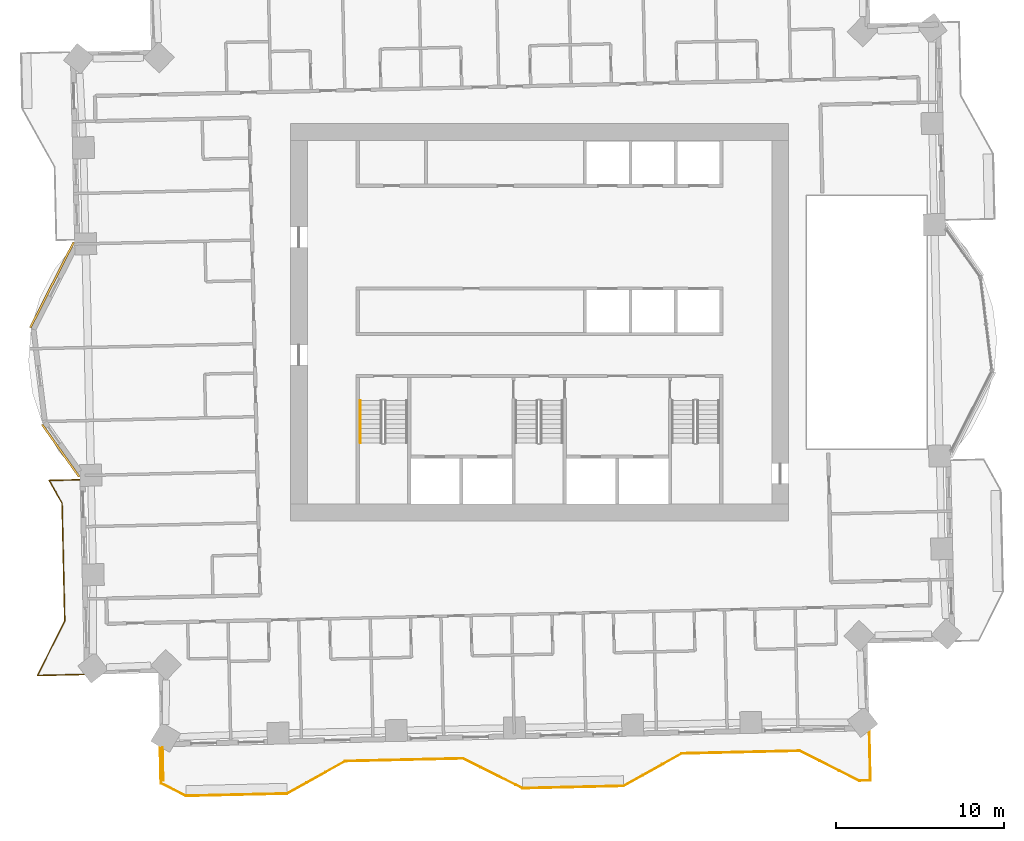
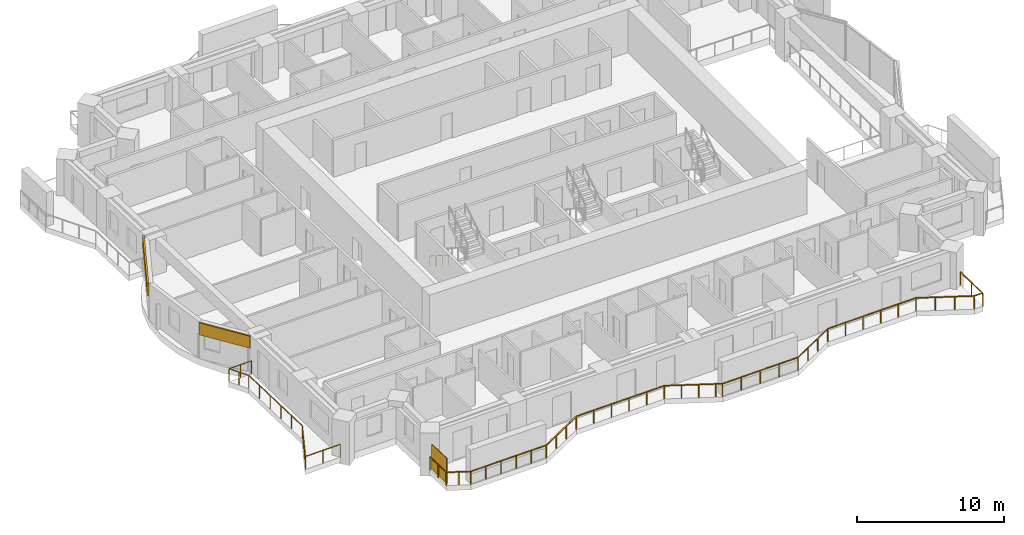
# One storey, part 13 of 16: 3 railings, 2 coverings, 1 shading device.
"""IFC4 building model written with IfcOpenShell, lengths in metres."""

from ifc_helpers import new_model, si_unit, direction, frame, frame_2d, origin, origin_2d, place, context, subcontext, project, spatial, rectangle, circle, extrude, material, layer, layer_set, type_object, element, save


model = new_model("IFC4")

# Units and contexts
model_context = context("Model", 3, precision=1e-05, world=origin(), true_north=direction((0.0, 1.0)))
body_context = subcontext(model_context, "Body", "Model", "MODEL_VIEW")
ifc_project = project(units=[si_unit("LENGTHUNIT", "METRE"), si_unit("AREAUNIT", "SQUARE_METRE"), si_unit("VOLUMEUNIT", "CUBIC_METRE"), si_unit("PLANEANGLEUNIT", "RADIAN"), si_unit("MASSUNIT", "GRAM", prefix="KILO")], contexts=[model_context])

# Site, building, storey
site_placement = place(None, origin())
site = spatial("IfcSite", under=ifc_project, at=site_placement, CompositionType="ELEMENT")
building_placement = place(site_placement, origin())
building = spatial("IfcBuilding", under=site, at=building_placement, Name="Mangrove Gate Tower", CompositionType="ELEMENT")
storey_placement = place(building_placement, frame((0.0, 0.0, 130.10009765625)))
storey = spatial("IfcBuildingStorey", under=building, at=storey_placement, Name="L32", CompositionType="ELEMENT", Elevation=130.10009765625)

# Railings
ifc_material_1 = material(Name="Stainless steel grade 316 with laminated glass infill", Category="steel")
railing_type_1 = type_object("IfcRailingType", Name="Balcony guard 1100", PredefinedType="GUARDRAIL", material=ifc_material_1)
railing_1_placement = place(storey_placement, frame((-27.343994140625, -9.361083984375, 0.0)))
element("IfcRailing", 1, at=railing_1_placement, inside=storey, type_object=railing_type_1, Name="GUARD L32 W2", PredefinedType="GUARDRAIL", context=body_context, shape_type="SweptSolid", body=[
    extrude(rectangle(XDim=0.048095703125, YDim=0.048095703125, at=origin_2d()), frame((0.0, 0.0, 1.076171875), z_axis=(-0.999736374059, -0.02296045261, 0.0), x_axis=(0.02296045261, -0.999736374059, 0.0)), (0.0, 0.0, 1.0), 1.786376953125),
    extrude(rectangle(XDim=0.048095703125, YDim=0.048095703125, at=origin_2d()), frame((-1.785888671875, -0.041015625, 1.076171875), z_axis=(0.487321616533, -0.873222561584, 0.0), x_axis=(0.873222561584, 0.487321616533, 0.0)), (0.0, 0.0, 1.0), 1.55517578125),
    extrude(rectangle(XDim=0.048095703125, YDim=0.048095703125, at=origin_2d()), frame((-1.028076171875, -1.39892578125, 1.076171875), z_axis=(0.022740419861, -0.999741403216, 0.0), x_axis=(0.999741403216, 0.022740419861, 0.0)), (0.0, 0.0, 1.0), 6.999755859375),
    extrude(rectangle(XDim=0.048095703125, YDim=0.048095703125, at=origin_2d()), frame((-0.868896484375, -8.39697265625, 1.076171875), z_axis=(-0.447348496473, -0.894359727796, 0.0), x_axis=(0.894359727796, -0.447348496473, 0.0)), (0.0, 0.0, 1.0), 3.619384765625),
    extrude(rectangle(XDim=0.048095703125, YDim=0.048095703125, at=origin_2d()), frame((-2.488037109375, -11.634033203125, 1.076171875), z_axis=(0.999746032414, 0.022535986176, 0.0), x_axis=(-0.022535986176, 0.999746032414, 0.0)), (0.0, 0.0, 1.0), 2.751708984375),
    extrude(rectangle(XDim=0.0419921875, YDim=0.0419921875, at=origin_2d()), origin(), (0.0, 0.0, 1.0), 1.052001953125),
    extrude(rectangle(XDim=0.0419921875, YDim=0.0419921875, at=origin_2d()), frame((-0.89306640625, -0.0205078125, 0.0)), (0.0, 0.0, 1.0), 1.052001953125),
    extrude(rectangle(XDim=0.0419921875, YDim=0.0419921875, at=origin_2d()), frame((-1.785888671875, -0.041015625, 0.0)), (0.0, 0.0, 1.0), 1.052001953125),
    extrude(rectangle(XDim=0.0419921875, YDim=0.0419921875, at=origin_2d()), frame((-1.406982421875, -0.719970703125, 0.0)), (0.0, 0.0, 1.0), 1.052001953125),
    extrude(rectangle(XDim=0.0419921875, YDim=0.0419921875, at=origin_2d()), frame((-1.028076171875, -1.39892578125, 0.0)), (0.0, 0.0, 1.0), 1.052001953125),
    extrude(rectangle(XDim=0.0419921875, YDim=0.0419921875, at=origin_2d()), frame((-0.996337890625, -2.798583984375, 0.0)), (0.0, 0.0, 1.0), 1.052001953125),
    extrude(rectangle(XDim=0.0419921875, YDim=0.0419921875, at=origin_2d()), frame((-0.96435546875, -4.1982421875, 0.0)), (0.0, 0.0, 1.0), 1.052001953125),
    extrude(rectangle(XDim=0.0419921875, YDim=0.0419921875, at=origin_2d()), frame((-0.9326171875, -5.59765625, 0.0)), (0.0, 0.0, 1.0), 1.052001953125),
    extrude(rectangle(XDim=0.0419921875, YDim=0.0419921875, at=origin_2d()), frame((-0.900634765625, -6.997314453125, 0.0)), (0.0, 0.0, 1.0), 1.052001953125),
    extrude(rectangle(XDim=0.0419921875, YDim=0.0419921875, at=origin_2d()), frame((-0.868896484375, -8.39697265625, 0.0)), (0.0, 0.0, 1.0), 1.052001953125),
    extrude(rectangle(XDim=0.0419921875, YDim=0.0419921875, at=origin_2d()), frame((-1.40869140625, -9.47607421875, 0.0)), (0.0, 0.0, 1.0), 1.052001953125),
    extrude(rectangle(XDim=0.0419921875, YDim=0.0419921875, at=origin_2d()), frame((-1.9482421875, -10.554931640625, 0.0)), (0.0, 0.0, 1.0), 1.052001953125),
    extrude(rectangle(XDim=0.0419921875, YDim=0.0419921875, at=origin_2d()), frame((-2.488037109375, -11.634033203125, 0.0)), (0.0, 0.0, 1.0), 1.052001953125),
    extrude(rectangle(XDim=0.0419921875, YDim=0.0419921875, at=origin_2d()), frame((-1.112548828125, -11.60302734375, 0.0)), (0.0, 0.0, 1.0), 1.052001953125),
    extrude(rectangle(XDim=0.0419921875, YDim=0.0419921875, at=origin_2d()), frame((0.262939453125, -11.572021484375, 0.0)), (0.0, 0.0, 1.0), 1.052001953125),
])
railing_2_placement = place(storey_placement, frame((-22.541015625, -25.27099609375, 0.0)))
element("IfcRailing", 2, at=railing_2_placement, inside=storey, type_object=railing_type_1, Name="GUARD L32 S1", PredefinedType="GUARDRAIL", context=body_context, shape_type="SweptSolid", body=[
    extrude(rectangle(XDim=0.048095703125, YDim=0.048095703125, at=origin_2d()), frame((0.0, 0.0, 1.076171875), z_axis=(0.022552375539, -0.999745662835, 0.0), x_axis=(0.999745662835, 0.022552375539, 0.0)), (0.0, 0.0, 1.0), 2.132568359375),
    extrude(rectangle(XDim=0.048095703125, YDim=0.048095703125, at=origin_2d()), frame((0.048095703125, -2.132080078125, 1.076171875), z_axis=(0.894573818385, -0.446920220465, 0.0), x_axis=(0.446920220465, 0.894573818385, 0.0)), (0.0, 0.0, 1.0), 1.66455078125),
    extrude(rectangle(XDim=0.048095703125, YDim=0.048095703125, at=origin_2d()), frame((1.537109375, -2.8759765625, 1.076171875), z_axis=(0.999743178102, 0.022662255828, 0.0), x_axis=(-0.022662255828, 0.999743178102, 0.0)), (0.0, 0.0, 1.0), 6.00048828125),
    extrude(rectangle(XDim=0.048095703125, YDim=0.048095703125, at=origin_2d()), frame((7.5361328125, -2.739990234375, 1.076171875), z_axis=(0.873242256246, 0.487286324359, 0.0), x_axis=(-0.487286324359, 0.873242256246, 0.0)), (0.0, 0.0, 1.0), 3.95849609375),
    extrude(rectangle(XDim=0.048095703125, YDim=0.048095703125, at=origin_2d()), frame((10.992919921875, -0.81103515625, 1.076171875), z_axis=(0.999742195543, 0.022705559911, 0.0), x_axis=(-0.022705559911, 0.999742195543, 0.0)), (0.0, 0.0, 1.0), 6.999755859375),
    extrude(rectangle(XDim=0.048095703125, YDim=0.048095703125, at=origin_2d()), frame((17.990966796875, -0.652099609375, 1.076171875), z_axis=(0.894441117248, -0.44718574192, 0.0), x_axis=(0.44718574192, 0.894441117248, 0.0)), (0.0, 0.0, 1.0), 3.506103515625),
    extrude(rectangle(XDim=0.048095703125, YDim=0.048095703125, at=origin_2d()), frame((21.126953125, -2.219970703125, 1.076171875), z_axis=(0.894750555602, -0.446566280915, 0.0), x_axis=(0.446566280915, 0.894750555602, 0.0)), (0.0, 0.0, 1.0), 0.45263671875),
    extrude(rectangle(XDim=0.048095703125, YDim=0.048095703125, at=origin_2d()), frame((21.531982421875, -2.422119140625, 1.076171875), z_axis=(0.999742171567, 0.022706615587, 0.0), x_axis=(-0.022706615587, 0.999742171567, 0.0)), (0.0, 0.0, 1.0), 5.99951171875),
    extrude(rectangle(XDim=0.048095703125, YDim=0.048095703125, at=origin_2d()), frame((27.530029296875, -2.285888671875, 1.076171875), z_axis=(0.87325689943, 0.48726008209, 0.0), x_axis=(-0.48726008209, 0.87325689943, 0.0)), (0.0, 0.0, 1.0), 3.958740234375),
    extrude(rectangle(XDim=0.048095703125, YDim=0.048095703125, at=origin_2d()), frame((30.987060546875, -0.35693359375, 1.076171875), z_axis=(0.999742267452, 0.022702393474, 0.0), x_axis=(-0.022702393474, 0.999742267452, 0.0)), (0.0, 0.0, 1.0), 7.000732421875),
    extrude(rectangle(XDim=0.048095703125, YDim=0.048095703125, at=origin_2d()), frame((37.986083984375, -0.197998046875, 1.076171875), z_axis=(0.894377854182, -0.447312255532, 0.0), x_axis=(0.447312255532, 0.894377854182, 0.0)), (0.0, 0.0, 1.0), 3.959228515625),
    extrude(rectangle(XDim=0.048095703125, YDim=0.048095703125, at=origin_2d()), frame((41.527099609375, -1.968994140625, 1.076171875), z_axis=(0.999721183676, 0.023612600632, 0.0), x_axis=(-0.023612600632, 0.999721183676, 0.0)), (0.0, 0.0, 1.0), 0.672119140625),
    extrude(rectangle(XDim=0.048095703125, YDim=0.048095703125, at=origin_2d()), frame((42.198974609375, -1.953125, 1.076171875), z_axis=(-0.022652795902, 0.999743392495, 0.0), x_axis=(-0.999743392495, -0.022652795902, 0.0)), (0.0, 0.0, 1.0), 2.909912109375),
    extrude(rectangle(XDim=0.0419921875, YDim=0.0419921875, at=origin_2d()), origin(), (0.0, 0.0, 1.0), 1.052001953125),
    extrude(rectangle(XDim=0.0419921875, YDim=0.0419921875, at=origin_2d()), frame((0.02392578125, -1.06591796875, 0.0)), (0.0, 0.0, 1.0), 1.052001953125),
    extrude(rectangle(XDim=0.0419921875, YDim=0.0419921875, at=origin_2d()), frame((0.048095703125, -2.132080078125, 0.0)), (0.0, 0.0, 1.0), 1.052001953125),
    extrude(rectangle(XDim=0.0419921875, YDim=0.0419921875, at=origin_2d()), frame((0.79248046875, -2.50390625, 0.0)), (0.0, 0.0, 1.0), 1.052001953125),
    extrude(rectangle(XDim=0.0419921875, YDim=0.0419921875, at=origin_2d()), frame((1.537109375, -2.8759765625, 0.0)), (0.0, 0.0, 1.0), 1.052001953125),
    extrude(rectangle(XDim=0.0419921875, YDim=0.0419921875, at=origin_2d()), frame((2.73681640625, -2.848876953125, 0.0)), (0.0, 0.0, 1.0), 1.052001953125),
    extrude(rectangle(XDim=0.0419921875, YDim=0.0419921875, at=origin_2d()), frame((3.936767578125, -2.821533203125, 0.0)), (0.0, 0.0, 1.0), 1.052001953125),
    extrude(rectangle(XDim=0.0419921875, YDim=0.0419921875, at=origin_2d()), frame((5.136474609375, -2.79443359375, 0.0)), (0.0, 0.0, 1.0), 1.052001953125),
    extrude(rectangle(XDim=0.0419921875, YDim=0.0419921875, at=origin_2d()), frame((6.33642578125, -2.76708984375, 0.0)), (0.0, 0.0, 1.0), 1.052001953125),
    extrude(rectangle(XDim=0.0419921875, YDim=0.0419921875, at=origin_2d()), frame((7.5361328125, -2.739990234375, 0.0)), (0.0, 0.0, 1.0), 1.052001953125),
    extrude(rectangle(XDim=0.0419921875, YDim=0.0419921875, at=origin_2d()), frame((8.6884765625, -2.096923828125, 0.0)), (0.0, 0.0, 1.0), 1.052001953125),
    extrude(rectangle(XDim=0.0419921875, YDim=0.0419921875, at=origin_2d()), frame((9.840576171875, -1.4541015625, 0.0)), (0.0, 0.0, 1.0), 1.052001953125),
    extrude(rectangle(XDim=0.0419921875, YDim=0.0419921875, at=origin_2d()), frame((10.992919921875, -0.81103515625, 0.0)), (0.0, 0.0, 1.0), 1.052001953125),
    extrude(rectangle(XDim=0.0419921875, YDim=0.0419921875, at=origin_2d()), frame((12.392578125, -0.779296875, 0.0)), (0.0, 0.0, 1.0), 1.052001953125),
    extrude(rectangle(XDim=0.0419921875, YDim=0.0419921875, at=origin_2d()), frame((13.792236328125, -0.74755859375, 0.0)), (0.0, 0.0, 1.0), 1.052001953125),
    extrude(rectangle(XDim=0.0419921875, YDim=0.0419921875, at=origin_2d()), frame((15.191650390625, -0.715576171875, 0.0)), (0.0, 0.0, 1.0), 1.052001953125),
    extrude(rectangle(XDim=0.0419921875, YDim=0.0419921875, at=origin_2d()), frame((16.59130859375, -0.683837890625, 0.0)), (0.0, 0.0, 1.0), 1.052001953125),
    extrude(rectangle(XDim=0.0419921875, YDim=0.0419921875, at=origin_2d()), frame((17.990966796875, -0.652099609375, 0.0)), (0.0, 0.0, 1.0), 1.052001953125),
    extrude(rectangle(XDim=0.0419921875, YDim=0.0419921875, at=origin_2d()), frame((19.036376953125, -1.1748046875, 0.0)), (0.0, 0.0, 1.0), 1.052001953125),
    extrude(rectangle(XDim=0.0419921875, YDim=0.0419921875, at=origin_2d()), frame((20.08154296875, -1.697265625, 0.0)), (0.0, 0.0, 1.0), 1.052001953125),
    extrude(rectangle(XDim=0.0419921875, YDim=0.0419921875, at=origin_2d()), frame((21.126953125, -2.219970703125, 0.0)), (0.0, 0.0, 1.0), 1.052001953125),
    extrude(rectangle(XDim=0.0419921875, YDim=0.0419921875, at=origin_2d()), frame((21.531982421875, -2.422119140625, 0.0)), (0.0, 0.0, 1.0), 1.052001953125),
    extrude(rectangle(XDim=0.0419921875, YDim=0.0419921875, at=origin_2d()), frame((23.031494140625, -2.38818359375, 0.0)), (0.0, 0.0, 1.0), 1.052001953125),
    extrude(rectangle(XDim=0.0419921875, YDim=0.0419921875, at=origin_2d()), frame((24.531005859375, -2.35400390625, 0.0)), (0.0, 0.0, 1.0), 1.052001953125),
    extrude(rectangle(XDim=0.0419921875, YDim=0.0419921875, at=origin_2d()), frame((26.030517578125, -2.31982421875, 0.0)), (0.0, 0.0, 1.0), 1.052001953125),
    extrude(rectangle(XDim=0.0419921875, YDim=0.0419921875, at=origin_2d()), frame((27.530029296875, -2.285888671875, 0.0)), (0.0, 0.0, 1.0), 1.052001953125),
    extrude(rectangle(XDim=0.0419921875, YDim=0.0419921875, at=origin_2d()), frame((28.682373046875, -1.642822265625, 0.0)), (0.0, 0.0, 1.0), 1.052001953125),
    extrude(rectangle(XDim=0.0419921875, YDim=0.0419921875, at=origin_2d()), frame((29.834716796875, -1.0, 0.0)), (0.0, 0.0, 1.0), 1.052001953125),
    extrude(rectangle(XDim=0.0419921875, YDim=0.0419921875, at=origin_2d()), frame((30.987060546875, -0.35693359375, 0.0)), (0.0, 0.0, 1.0), 1.052001953125),
    extrude(rectangle(XDim=0.0419921875, YDim=0.0419921875, at=origin_2d()), frame((32.386962890625, -0.3251953125, 0.0)), (0.0, 0.0, 1.0), 1.052001953125),
    extrude(rectangle(XDim=0.0419921875, YDim=0.0419921875, at=origin_2d()), frame((33.78662109375, -0.29345703125, 0.0)), (0.0, 0.0, 1.0), 1.052001953125),
    extrude(rectangle(XDim=0.0419921875, YDim=0.0419921875, at=origin_2d()), frame((35.1865234375, -0.261474609375, 0.0)), (0.0, 0.0, 1.0), 1.052001953125),
    extrude(rectangle(XDim=0.0419921875, YDim=0.0419921875, at=origin_2d()), frame((36.586181640625, -0.229736328125, 0.0)), (0.0, 0.0, 1.0), 1.052001953125),
    extrude(rectangle(XDim=0.0419921875, YDim=0.0419921875, at=origin_2d()), frame((37.986083984375, -0.197998046875, 0.0)), (0.0, 0.0, 1.0), 1.052001953125),
    extrude(rectangle(XDim=0.0419921875, YDim=0.0419921875, at=origin_2d()), frame((39.16650390625, -0.788330078125, 0.0)), (0.0, 0.0, 1.0), 1.052001953125),
    extrude(rectangle(XDim=0.0419921875, YDim=0.0419921875, at=origin_2d()), frame((40.3466796875, -1.378662109375, 0.0)), (0.0, 0.0, 1.0), 1.052001953125),
    extrude(rectangle(XDim=0.0419921875, YDim=0.0419921875, at=origin_2d()), frame((41.527099609375, -1.968994140625, 0.0)), (0.0, 0.0, 1.0), 1.052001953125),
    extrude(rectangle(XDim=0.0419921875, YDim=0.0419921875, at=origin_2d()), frame((42.198974609375, -1.953125, 0.0)), (0.0, 0.0, 1.0), 1.052001953125),
    extrude(rectangle(XDim=0.0419921875, YDim=0.0419921875, at=origin_2d()), frame((42.166015625, -0.49853515625, 0.0)), (0.0, 0.0, 1.0), 1.052001953125),
    extrude(rectangle(XDim=0.0419921875, YDim=0.0419921875, at=origin_2d()), frame((42.133056640625, 0.9560546875, 0.0)), (0.0, 0.0, 1.0), 1.052001953125),
])

# Shading device
ifc_material_2 = material(Name="Timber slat screen in teak", Category="wood")
shading_device_type = type_object("IfcShadingDeviceType", Name="Balcony screen 2100", PredefinedType="USERDEFINED", material=ifc_material_2)
shading_device_placement = place(storey_placement, frame((-22.37890625, -26.25390625, -0.000244140625), z_axis=(0.0, 0.0, 1.0), x_axis=(0.022600089485, -0.999744585359, 0.0)))
element("IfcShadingDevice", 3, at=shading_device_placement, inside=storey, type_object=shading_device_type, Name="SCREEN L32 S0", ObjectType="SCREEN", PredefinedType="USERDEFINED", context=body_context, shape_type="SweptSolid", body=[
    extrude(rectangle(XDim=2.012939453125, YDim=0.050048828125, at=origin_2d()), origin(), (0.0, 0.0, 1.0), 2.10009765625),
])

# Railing
ifc_material_3 = material(Name="Stainless steel 316", Category="steel")
railing_type_2 = type_object("IfcRailingType", Name="Core stair handrail 900", PredefinedType="HANDRAIL", material=ifc_material_3)
railing_3_placement = place(storey_placement, frame((-10.64990234375, -4.64990234375, 0.179931640625)))
element("IfcRailing", 4, at=railing_3_placement, inside=storey, type_object=railing_type_2, Name="L32 ST1 stair handrail 1", PredefinedType="HANDRAIL", context=body_context, shape_type="SweptSolid", body=[
    extrude(circle(Radius=0.02392578125, at=origin_2d()), frame((0.0, 0.0, 0.8759765625), z_axis=(0.0, -0.841199657755, 0.540724639528), x_axis=(1.0, 0.0, 0.0)), (0.0, 0.0, 1.0), 2.995849609375),
    extrude(circle(Radius=0.02099609375, at=origin_2d()), origin(), (0.0, 0.0, 1.0), 0.851806640625),
    extrude(circle(Radius=0.02099609375, at=origin_2d()), frame((0.0, -0.840087890625, 0.5400390625)), (0.0, 0.0, 1.0), 0.851806640625),
    extrude(circle(Radius=0.02099609375, at=origin_2d()), frame((0.0, -1.679931640625, 1.079833984375)), (0.0, 0.0, 1.0), 0.851806640625),
    extrude(circle(Radius=0.02099609375, at=origin_2d()), frame((0.0, -2.52001953125, 1.619873046875)), (0.0, 0.0, 1.0), 0.851806640625),
])

# Coverings
ifc_material_4 = material(Name="Limestone", Category="masonry")
ifc_layer_1 = layer(ifc_material_4, 0.0400390625, Name="Limestone cladding")
ifc_material_5 = material(Name="Stainless steel anchors and cavity", Category="steel")
ifc_layer_2 = layer(ifc_material_5, 0.080078125, Name="Fixing cavity")
ifc_layer_set = layer_set([ifc_layer_1, ifc_layer_2], Name="Joint fascia cladding 120")
covering_type = type_object("IfcCoveringType", Name="Joint fascia cladding 120", PredefinedType="CLADDING", material=ifc_layer_set)
covering_1_placement = place(storey_placement, frame((-27.67431640625, 4.759521484375, 2.0498046875), z_axis=(0.0, 0.0, 1.0), x_axis=(-0.452615399326, -0.89170583731, 0.0)))
element("IfcCovering", 5, at=covering_1_placement, inside=storey, type_object=covering_type, Name="STONE FASCIA L32 W9.L1", PredefinedType="CLADDING", context=body_context, shape_type="SweptSolid", body=[
    extrude(rectangle(XDim=5.7041015625, YDim=0.1201171875, at=frame_2d((2.85205078125, 0.0))), origin(), (0.0, 0.0, 1.0), 1.0),
])
covering_2_placement = place(storey_placement, frame((-29.55908203125, -6.074951171875, 2.0498046875), z_axis=(0.0, 0.0, 1.0), x_axis=(0.578168098379, -0.815917673553, 0.0)))
element("IfcCovering", 6, at=covering_2_placement, inside=storey, type_object=covering_type, Name="STONE FASCIA L32 W9.L2", PredefinedType="CLADDING", context=body_context, shape_type="SweptSolid", body=[
    extrude(rectangle(XDim=3.819091796875, YDim=0.1201171875, at=frame_2d((1.90966796875, 0.0))), origin(), (0.0, 0.0, 1.0), 1.0),
])

save(model, "model.ifc")
